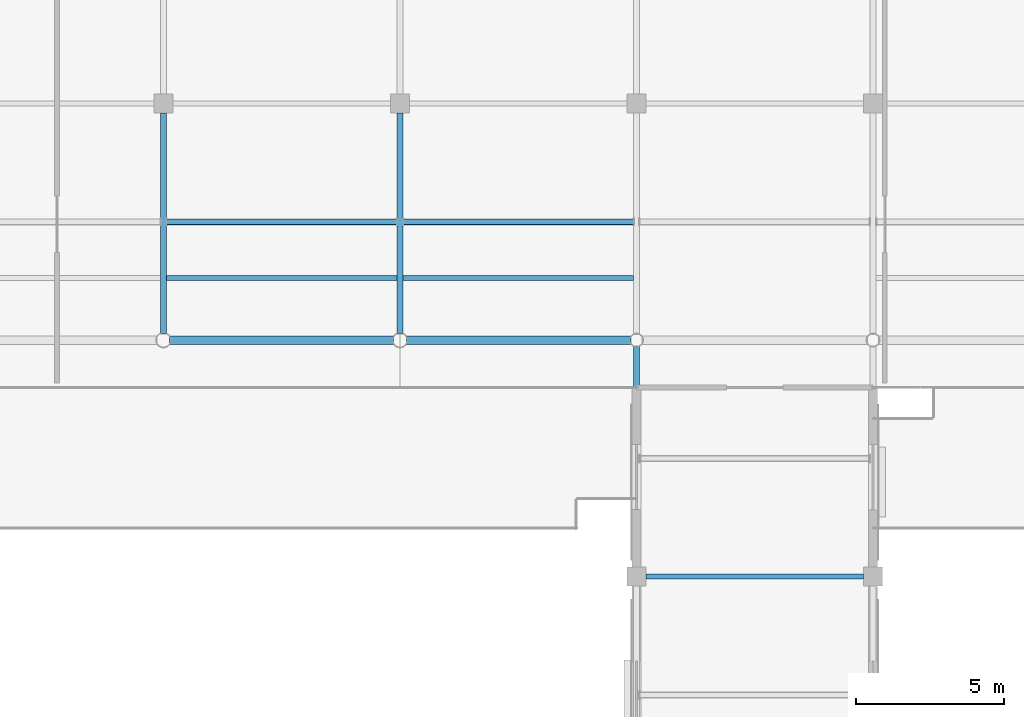
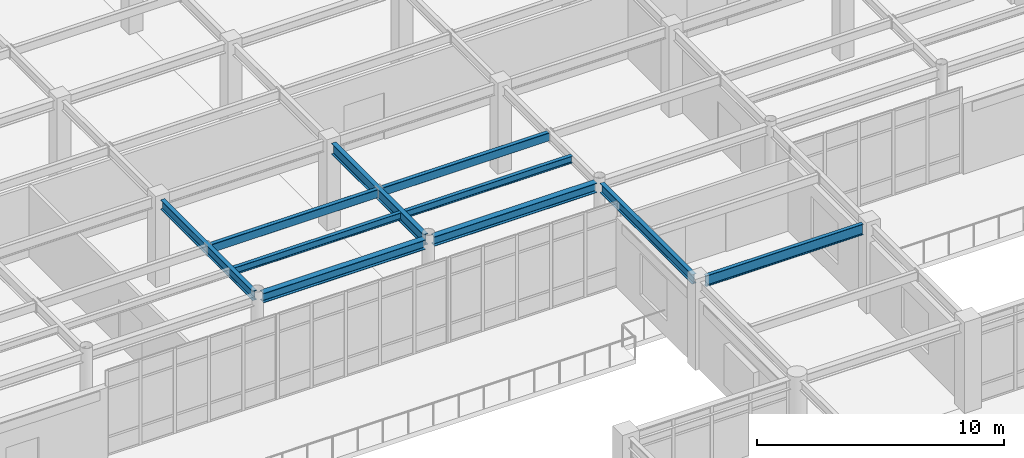
# One storey, part 43 of 93: 10 beams.
"""IFC4 building model written with IfcOpenShell, lengths in metres."""

from ifc_helpers import new_model, si_unit, direction, frame, origin, origin_2d, place, context, subcontext, project, spatial, hollow_rectangle, i_section, extrude, material, material_profile, profile_set, type_object, element, save


model = new_model("IFC4")

# Units and contexts
model_context = context("Model", 3, precision=1e-05, world=origin(), true_north=direction((0.0, 1.0)))
body_context = subcontext(model_context, "Body", "Model", "MODEL_VIEW")
ifc_project = project(units=[si_unit("LENGTHUNIT", "METRE"), si_unit("AREAUNIT", "SQUARE_METRE"), si_unit("VOLUMEUNIT", "CUBIC_METRE"), si_unit("PLANEANGLEUNIT", "RADIAN"), si_unit("MASSUNIT", "GRAM", prefix="KILO")], contexts=[model_context])

# Site, building, storey
site_placement = place(None, origin())
site = spatial("IfcSite", under=ifc_project, at=site_placement, CompositionType="ELEMENT")
building_placement = place(site_placement, origin())
building = spatial("IfcBuilding", under=site, at=building_placement, Name="Solmirada Galleria", CompositionType="ELEMENT")
storey_placement = place(building_placement, frame((0.0, 0.0, 14.89990234375)))
storey = spatial("IfcBuildingStorey", under=building, at=storey_placement, Name="L03", CompositionType="ELEMENT", Elevation=14.89990234375)

# Beams
ifc_material_1 = material(Name="Steel S355 / ASTM A992 Grade 50", Category="steel")
ifc_material_profile_1 = material_profile(ifc_material_1, i_section(OverallWidth=0.281982421875, OverallDepth=0.467041015625, WebThickness=0.01220703125, FlangeThickness=0.01953125, FilletRadius=0.013916015625, at=origin_2d()), Name="W18X86")
ifc_profile_set_1 = profile_set([ifc_material_profile_1], Name="Steel S355 / ASTM A992 Grade 50")
beam_type_1 = type_object("IfcBeamType", Name="BM-GIRD-W18A", PredefinedType="BEAM", material=ifc_profile_set_1)
beam_1_placement = place(storey_placement, frame((72.21337890625, 88.0, 4.026611328125), z_axis=(1.0, 0.0, 0.0), x_axis=(0.0, 1.0, 0.0)))
element("IfcBeam", 1, at=beam_1_placement, inside=storey, type_object=beam_type_1, Name="Primary beam L04 X(72..80, 88)", PredefinedType="BEAM", context=body_context, shape_type="SweptSolid", body=[
    extrude(i_section(OverallWidth=0.281982421875, OverallDepth=0.467041015625, WebThickness=0.01220703125, FlangeThickness=0.01953125, FilletRadius=0.013916015625, at=origin_2d()), origin(), (0.0, 0.0, 1.0), 7.5732421875),
])
beam_2_placement = place(storey_placement, frame((80.21337890625, 88.0, 4.026611328125), z_axis=(1.0, 0.0, 0.0), x_axis=(0.0, 1.0, 0.0)))
element("IfcBeam", 2, at=beam_2_placement, inside=storey, type_object=beam_type_1, Name="Primary beam L04 X(80..88, 88)", PredefinedType="BEAM", context=body_context, shape_type="SweptSolid", body=[
    extrude(i_section(OverallWidth=0.281982421875, OverallDepth=0.467041015625, WebThickness=0.01220703125, FlangeThickness=0.01953125, FilletRadius=0.013916015625, at=origin_2d()), origin(), (0.0, 0.0, 1.0), 7.5947265625),
])
ifc_material_profile_2 = material_profile(ifc_material_1, i_section(OverallWidth=0.194091796875, OverallDepth=0.468994140625, WebThickness=0.0126953125, FlangeThickness=0.0205078125, FilletRadius=0.013916015625, at=origin_2d()), Name="W18X71")
ifc_profile_set_2 = profile_set([ifc_material_profile_2], Name="Steel S355 / ASTM A992 Grade 50")
beam_type_2 = type_object("IfcBeamType", Name="BM-GIRD-W18B", PredefinedType="BEAM", material=ifc_profile_set_2)
beam_3_placement = place(storey_placement, frame((72.0, 88.21337890625, 4.025634765625), z_axis=(0.0, 1.0, 0.0), x_axis=(-1.0, 0.0, 0.0)))
element("IfcBeam", 3, at=beam_3_placement, inside=storey, type_object=beam_type_2, Name="Primary girder L04 Y(72, 88..96)", PredefinedType="BEAM", context=body_context, shape_type="SweptSolid", body=[
    extrude(i_section(OverallWidth=0.194091796875, OverallDepth=0.468994140625, WebThickness=0.0126953125, FlangeThickness=0.0205078125, FilletRadius=0.013916015625, at=origin_2d()), origin(), (0.0, 0.0, 1.0), 7.461669921875),
])
beam_4_placement = place(storey_placement, frame((88.0, 80.324951171875, 4.025634765625), z_axis=(0.0, 1.0, 0.0), x_axis=(-1.0, 0.0, 0.0)))
element("IfcBeam", 4, at=beam_4_placement, inside=storey, type_object=beam_type_2, Name="Primary girder L04 Y(88, 80..88)", PredefinedType="BEAM", context=body_context, shape_type="SweptSolid", body=[
    extrude(i_section(OverallWidth=0.194091796875, OverallDepth=0.468994140625, WebThickness=0.0126953125, FlangeThickness=0.0205078125, FilletRadius=0.013916015625, at=origin_2d()), origin(), (0.0, 0.0, 1.0), 7.483154296875),
])
ifc_material_profile_3 = material_profile(ifc_material_1, i_section(OverallWidth=0.2099609375, OverallDepth=0.537109375, WebThickness=0.010986328125, FlangeThickness=0.017333984375, FilletRadius=0.014892578125, at=origin_2d()), Name="W21X68")
ifc_profile_set_3 = profile_set([ifc_material_profile_3], Name="Steel S355 / ASTM A992 Grade 50")
beam_type_3 = type_object("IfcBeamType", Name="BM-GIRD-W21B", PredefinedType="BEAM", material=ifc_profile_set_3)
beam_5_placement = place(storey_placement, frame((80.0, 88.21337890625, 3.99169921875), z_axis=(0.0, 1.0, 0.0), x_axis=(-1.0, 0.0, 0.0)))
element("IfcBeam", 5, at=beam_5_placement, inside=storey, type_object=beam_type_3, Name="Primary girder L04 Y(80, 88..96)", PredefinedType="BEAM", context=body_context, shape_type="SweptSolid", body=[
    extrude(i_section(OverallWidth=0.2099609375, OverallDepth=0.537109375, WebThickness=0.010986328125, FlangeThickness=0.017333984375, FilletRadius=0.014892578125, at=origin_2d()), origin(), (0.0, 0.0, 1.0), 7.461669921875),
])
ifc_material_profile_4 = material_profile(ifc_material_1, i_section(OverallWidth=0.1669921875, OverallDepth=0.534912109375, WebThickness=0.01025390625, FlangeThickness=0.0166015625, FilletRadius=0.013916015625, at=origin_2d()), Name="W21X57")
ifc_profile_set_4 = profile_set([ifc_material_profile_4], Name="Steel S355 / ASTM A992 Grade 50")
beam_type_4 = type_object("IfcBeamType", Name="BM-GIRD-W21C", PredefinedType="BEAM", material=ifc_profile_set_4)
beam_6_placement = place(storey_placement, frame((88.324951171875, 80.0, 4.03271484375), z_axis=(1.0, 0.0, 0.0), x_axis=(0.0, 1.0, 0.0)))
element("IfcBeam", 6, at=beam_6_placement, inside=storey, type_object=beam_type_4, Name="Primary beam L04 X(88..96, 80)", PredefinedType="BEAM", context=body_context, shape_type="SweptSolid", body=[
    extrude(i_section(OverallWidth=0.1669921875, OverallDepth=0.534912109375, WebThickness=0.01025390625, FlangeThickness=0.0166015625, FilletRadius=0.013916015625, at=origin_2d()), origin(), (0.0, 0.0, 1.0), 7.35009765625),
])
ifc_material_profile_5 = material_profile(ifc_material_1, i_section(OverallWidth=0.1708984375, OverallDepth=0.35205078125, WebThickness=0.0068359375, FlangeThickness=0.009765625, FilletRadius=0.010986328125, at=origin_2d()), Name="W14X30")
ifc_profile_set_5 = profile_set([ifc_material_profile_5], Name="Steel S355 / ASTM A992 Grade 50")
beam_type_5 = type_object("IfcBeamType", Name="BM-JST-W14B", PredefinedType="JOIST", material=ifc_profile_set_5)
for number, where, z_axis, x_axis, name in (
    (7, (72.096923828125, 90.10009765625, 4.083984375), (1.0, 0.0, 0.0), (0.0, 1.0, 0.0), "Terrace deck joist L04-TERR-NW X=72..80 (2)"),
    (8, (80.10498046875, 90.10009765625, 4.083984375), (1.0, 0.0, 0.0), (0.0, 1.0, 0.0), "Terrace deck joist L04-TERR-NW X=80..88 (2)"),
):
    element("IfcBeam", number, at=place(storey_placement, frame(where, z_axis=z_axis, x_axis=x_axis)), inside=storey, type_object=beam_type_5, Name=name, PredefinedType="JOIST", context=body_context, shape_type="SweptSolid", body=[
        extrude(i_section(OverallWidth=0.1708984375, OverallDepth=0.35205078125, WebThickness=0.0068359375, FlangeThickness=0.009765625, FilletRadius=0.010986328125, at=origin_2d()), origin(), (0.0, 0.0, 1.0), 7.798095703125),
    ])
ifc_material_2 = material(Name="Steel S355 / ASTM A500 Grade C", Category="steel")
ifc_material_profile_6 = material_profile(ifc_material_2, hollow_rectangle(XDim=0.202880859375, YDim=0.406005859375, WallThickness=0.01171875, InnerFilletRadius=0.01171875, OuterFilletRadius=0.023681640625, at=origin_2d()), Name="HSS16X8X1/2")
ifc_profile_set_6 = profile_set([ifc_material_profile_6], Name="Steel S355 / ASTM A500 Grade C")
beam_type_6 = type_object("IfcBeamType", Name="BM-JST-W16B", PredefinedType="JOIST", material=ifc_profile_set_6)
for number, where, z_axis, x_axis, name in (
    (9, (72.096923828125, 92.0, 4.05712890625), (1.0, 0.0, 0.0), (0.0, 1.0, 0.0), "Composite floor joist L04 (72..80, 92.0)"),
    (10, (80.10498046875, 92.0, 4.05712890625), (1.0, 0.0, 0.0), (0.0, 1.0, 0.0), "Composite floor joist L04 (80..88, 92.0)"),
):
    element("IfcBeam", number, at=place(storey_placement, frame(where, z_axis=z_axis, x_axis=x_axis)), inside=storey, type_object=beam_type_6, Name=name, PredefinedType="JOIST", context=body_context, shape_type="SweptSolid", body=[
        extrude(hollow_rectangle(XDim=0.202880859375, YDim=0.406005859375, WallThickness=0.01171875, InnerFilletRadius=0.01171875, OuterFilletRadius=0.023681640625, at=origin_2d()), origin(), (0.0, 0.0, 1.0), 7.798095703125),
    ])

save(model, "model.ifc")
